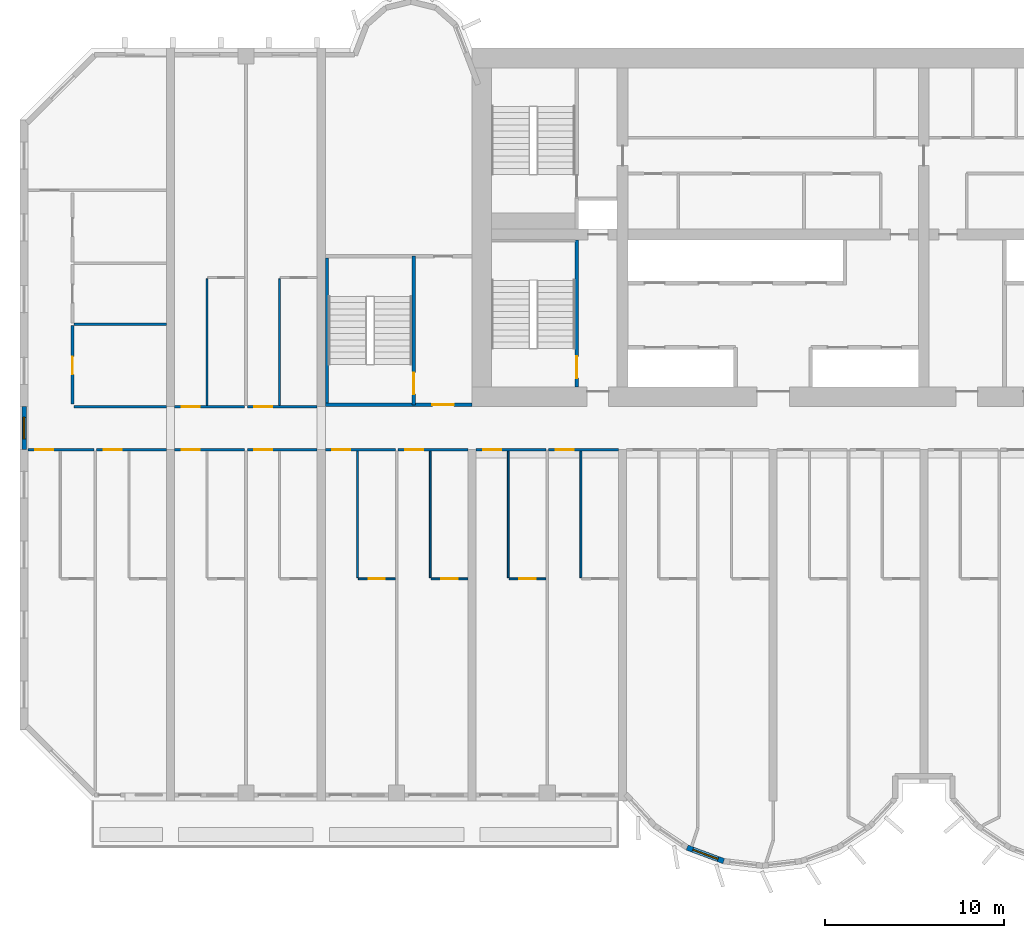
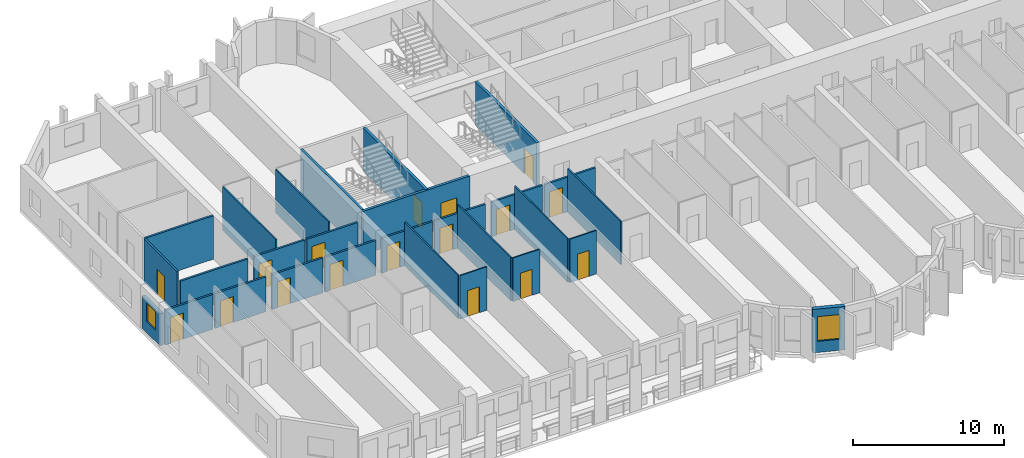
# One storey, part 3 of 15: 28 walls, 17 doors, 2 windows, 19 openings.
"""IFC4 building model written with IfcOpenShell, lengths in metres."""

from ifc_helpers import new_model, si_unit, direction, frame, frame_2d, origin, place, context, subcontext, project, spatial, rectangle, extrude, source, transform, mapped, material, layer, layer_set, type_object, element, fill, save


model = new_model("IFC4")

# Units and contexts
model_context = context("Model", 3, precision=1e-05, world=origin(), true_north=direction((0.0, 1.0)))
body_context = subcontext(model_context, "Body", "Model", "MODEL_VIEW")
ifc_project = project(units=[si_unit("LENGTHUNIT", "METRE"), si_unit("AREAUNIT", "SQUARE_METRE"), si_unit("VOLUMEUNIT", "CUBIC_METRE"), si_unit("PLANEANGLEUNIT", "RADIAN"), si_unit("MASSUNIT", "GRAM", prefix="KILO")], contexts=[model_context])

# Site, building, storey
site_placement = place(None, origin())
site = spatial("IfcSite", under=ifc_project, at=site_placement, CompositionType="ELEMENT")
building_placement = place(site_placement, origin())
building = spatial("IfcBuilding", under=site, at=building_placement, Name="Vanashikhar Sky Hotel", CompositionType="ELEMENT")
storey_placement = place(building_placement, frame((0.0, 0.0, 35.39990234375)))
storey = spatial("IfcBuildingStorey", under=building, at=storey_placement, Name="L07", CompositionType="ELEMENT", Elevation=35.39990234375)

# Wall, opening, window
ifc_material_1 = material(Name="Concrete M50", Category="concrete")
ifc_layer_1 = layer(ifc_material_1, 0.300048828125)
ifc_layer_set_1 = layer_set([ifc_layer_1], Name="Lobe wall 300")
wall_type_1 = type_object("IfcWallType", Name="Lobe wall 300", PredefinedType="SOLIDWALL", material=ifc_layer_set_1)
shared_shape_1 = source(origin(), body_context, "Body", "SweptSolid", [
    extrude(rectangle(XDim=2.17578125, YDim=0.300048828125, at=frame_2d((1.087890625, 0.0))), origin(), (0.0, 0.0, 1.0), 3.52001953125),
])
wall_1_placement = place(storey_placement, frame((37.20068359375, -2.58349609375, 0.0), z_axis=(0.0, 0.0, 1.0), x_axis=(0.93754555999, -0.347862505801, 0.0)))
wall_1 = element("IfcWall", 1, at=wall_1_placement, inside=storey, type_object=wall_type_1, Name="Lobe wall", PredefinedType="SOLIDWALL", context=body_context, shape_type="MappedRepresentation", body=[
    mapped(shared_shape_1, transform((0.0, 0.0, 0.0), scale=1.0)),
])
shared_shape_2 = source(origin(), body_context, "Body", "SweptSolid", [
    extrude(rectangle(XDim=1.5, YDim=2.0, at=frame_2d((0.75, 1.0))), frame((0.0, 0.16015625, 0.0), z_axis=(0.0, -1.0, 0.0), x_axis=(1.0, 0.0, 0.0)), (0.0, 0.0, 1.0), 0.320068359375),
])
opening_1_placement = place(wall_1_placement, frame((0.337890625, 0.0, 0.89990234375)))
opening_1 = element("IfcOpeningElement", 2, at=opening_1_placement, cuts=wall_1, Name="Opening WN-2", PredefinedType="OPENING", context=body_context, shape_type="MappedRepresentation", body=[
    mapped(shared_shape_2, transform((0.0, 0.0, 0.0), scale=1.0)),
])
ifc_material_2 = material(Name="Glass", Category="glass")
window_type_1 = type_object("IfcWindowType", Name="Lobe window 1500 x 2000", PartitioningType="SINGLE_PANEL", PredefinedType="WINDOW", material=ifc_material_2)
shared_shape_3 = source(origin(), body_context, "Body", "SweptSolid", [
    extrude(rectangle(XDim=1.5, YDim=2.0, at=frame_2d((0.75, 1.0))), frame((0.0, 0.030029296875, 0.0), z_axis=(0.0, -1.0, 0.0), x_axis=(1.0, 0.0, 0.0)), (0.0, 0.0, 1.0), 0.06005859375),
])
window_1_placement = place(opening_1_placement, origin())
window_1 = element("IfcWindow", 3, at=window_1_placement, inside=storey, type_object=window_type_1, Name="Window WN-2", OverallHeight=2.0, OverallWidth=1.5, PartitioningType="SINGLE_PANEL", PredefinedType="WINDOW", context=body_context, shape_type="MappedRepresentation", body=[
    mapped(shared_shape_3, transform((0.0, 0.0, 0.0), scale=1.0)),
])
fill(opening_1, window_1)

ifc_layer_2 = layer(ifc_material_1, 0.25)
ifc_layer_set_2 = layer_set([ifc_layer_2], Name="Rear and end board-marked wall 250")
wall_type_2 = type_object("IfcWallType", Name="Rear and end board-marked wall 250", PredefinedType="SOLIDWALL", material=ifc_layer_set_2)
shared_shape_4 = source(origin(), body_context, "Body", "SweptSolid", [
    extrude(rectangle(XDim=2.39990234375, YDim=0.25, at=frame_2d((1.199951171875, 0.0))), origin(), (0.0, 0.0, 1.0), 2.6201171875),
])
wall_2_placement = place(storey_placement, frame((0.22509765625, 19.60009765625, 0.0), z_axis=(0.0, 0.0, 1.0), x_axis=(0.0, 1.0, 0.0)))
wall_2 = element("IfcWall", 4, at=wall_2_placement, inside=storey, type_object=wall_type_2, Name="End corridor infill wall", PredefinedType="SOLIDWALL", context=body_context, shape_type="MappedRepresentation", body=[
    mapped(shared_shape_4, transform((0.0, 0.0, 0.0), scale=1.0)),
])
shared_shape_5 = source(origin(), body_context, "Body", "SweptSolid", [
    extrude(rectangle(XDim=1.199951171875, YDim=1.5, at=frame_2d((0.60009765625, 0.75))), frame((0.0, 0.135009765625, 0.0), z_axis=(0.0, -1.0, 0.0), x_axis=(1.0, 0.0, 0.0)), (0.0, 0.0, 1.0), 0.27001953125),
])
opening_2_placement = place(wall_2_placement, frame((0.60009765625, 0.0, 0.89990234375)))
opening_2 = element("IfcOpeningElement", 5, at=opening_2_placement, cuts=wall_2, Name="Opening WN-3", PredefinedType="OPENING", context=body_context, shape_type="MappedRepresentation", body=[
    mapped(shared_shape_5, transform((0.0, 0.0, 0.0), scale=1.0)),
])
window_type_2 = type_object("IfcWindowType", Name="Corridor end window 1200 x 1500", PartitioningType="SINGLE_PANEL", PredefinedType="WINDOW", material=ifc_material_2)
shared_shape_6 = source(origin(), body_context, "Body", "SweptSolid", [
    extrude(rectangle(XDim=1.199951171875, YDim=1.5, at=frame_2d((0.60009765625, 0.75))), frame((0.0, 0.030029296875, 0.0), z_axis=(0.0, -1.0, 0.0), x_axis=(1.0, 0.0, 0.0)), (0.0, 0.0, 1.0), 0.06005859375),
])
window_2_placement = place(opening_2_placement, origin())
window_2 = element("IfcWindow", 6, at=window_2_placement, inside=storey, type_object=window_type_2, Name="Window WN-3", OverallHeight=1.5, OverallWidth=1.199951171875, PartitioningType="SINGLE_PANEL", PredefinedType="WINDOW", context=body_context, shape_type="MappedRepresentation", body=[
    mapped(shared_shape_6, transform((0.0, 0.0, 0.0), scale=1.0)),
])
fill(opening_2, window_2)

# Wall, opening, door
ifc_layer_3 = layer(ifc_material_1, 0.199951171875)
ifc_layer_set_3 = layer_set([ifc_layer_3], Name="Stair wall 200")
wall_type_3 = type_object("IfcWallType", Name="Stair wall 200", PredefinedType="SOLIDWALL", material=ifc_layer_set_3)
shared_shape_7 = source(origin(), body_context, "Body", "SweptSolid", [
    extrude(rectangle(XDim=8.199951171875, YDim=0.199951171875, at=frame_2d((4.10009765625, 0.0))), origin(), (0.0, 0.0, 1.0), 3.52001953125),
])
wall_3_placement = place(storey_placement, frame((31.050048828125, 23.10009765625, 0.0), z_axis=(0.0, 0.0, 1.0), x_axis=(0.0, 1.0, 0.0)))
wall_3 = element("IfcWall", 7, at=wall_3_placement, inside=storey, type_object=wall_type_3, Name="Stair wall 200", PredefinedType="SOLIDWALL", context=body_context, shape_type="MappedRepresentation", body=[
    mapped(shared_shape_7, transform((0.0, 0.0, 0.0), scale=1.0)),
])
shared_shape_8 = source(origin(), body_context, "Body", "SweptSolid", [
    extrude(rectangle(XDim=1.199951171875, YDim=2.10009765625, at=frame_2d((0.60009765625, 1.050048828125))), frame((0.0, 0.10986328125, 0.0), z_axis=(0.0, -1.0, 0.0), x_axis=(1.0, 0.0, 0.0)), (0.0, 0.0, 1.0), 0.219970703125),
])
opening_3_placement = place(wall_3_placement, frame((0.5, 0.0, 0.0)))
opening_3 = element("IfcOpeningElement", 8, at=opening_3_placement, cuts=wall_3, Name="Opening DC-1", PredefinedType="OPENING", context=body_context, shape_type="MappedRepresentation", body=[
    mapped(shared_shape_8, transform((0.0, 0.0, 0.0), scale=1.0)),
])
ifc_material_3 = material(Name="Steel", Category="steel")
door_type_1 = type_object("IfcDoorType", Name="Stair door 1200 FD120", OperationType="NOTDEFINED", PredefinedType="DOOR", material=ifc_material_3)
shared_shape_9 = source(origin(), body_context, "Body", "SweptSolid", [
    extrude(rectangle(XDim=1.199951171875, YDim=2.10009765625, at=frame_2d((0.60009765625, 1.050048828125))), frame((0.0, 0.02490234375, 0.0), z_axis=(0.0, -1.0, 0.0), x_axis=(1.0, 0.0, 0.0)), (0.0, 0.0, 1.0), 0.050048828125),
])
door_1_placement = place(opening_3_placement, origin())
door_1 = element("IfcDoor", 9, at=door_1_placement, inside=storey, type_object=door_type_1, Name="Stair door 1200 FD120", OperationType="SINGLE_SWING_RIGHT", OverallHeight=2.10009765625, OverallWidth=1.199951171875, PredefinedType="DOOR", context=body_context, shape_type="MappedRepresentation", body=[
    mapped(shared_shape_9, transform((0.0, 0.0, 0.0), scale=1.0)),
])
fill(opening_3, door_1)

shared_shape_10 = source(origin(), body_context, "Body", "SweptSolid", [
    extrude(rectangle(XDim=8.2998046875, YDim=0.199951171875, at=frame_2d((4.14990234375, 0.0))), origin(), (0.0, 0.0, 1.0), 3.52001953125),
])
wall_4_placement = place(storey_placement, frame((21.949951171875, 22.10009765625, 0.0), z_axis=(0.0, 0.0, 1.0), x_axis=(0.0, 1.0, 0.0)))
wall_4 = element("IfcWall", 10, at=wall_4_placement, inside=storey, type_object=wall_type_3, Name="Stair wall 200", PredefinedType="SOLIDWALL", context=body_context, shape_type="MappedRepresentation", body=[
    mapped(shared_shape_10, transform((0.0, 0.0, 0.0), scale=1.0)),
])
opening_4_placement = place(wall_4_placement, frame((0.60009765625, 0.0, 0.0)))
opening_4 = element("IfcOpeningElement", 11, at=opening_4_placement, cuts=wall_4, Name="Opening DC-1", PredefinedType="OPENING", context=body_context, shape_type="MappedRepresentation", body=[
    mapped(shared_shape_8, transform((0.0, 0.0, 0.0), scale=1.0)),
])
door_2_placement = place(opening_4_placement, origin())
door_2 = element("IfcDoor", 12, at=door_2_placement, inside=storey, type_object=door_type_1, Name="Stair door 1200 FD120", OperationType="SINGLE_SWING_RIGHT", OverallHeight=2.10009765625, OverallWidth=1.199951171875, PredefinedType="DOOR", context=body_context, shape_type="MappedRepresentation", body=[
    mapped(shared_shape_9, transform((0.0, 0.0, 0.0), scale=1.0)),
])
fill(opening_4, door_2)

shared_shape_11 = source(origin(), body_context, "Body", "SweptSolid", [
    extrude(rectangle(XDim=8.175048828125, YDim=0.199951171875, at=frame_2d((4.08740234375, 0.0))), origin(), (0.0, 0.0, 1.0), 3.52001953125),
])
wall_5_placement = place(storey_placement, frame((17.02490234375, 22.10009765625, 0.0), z_axis=(0.0, 0.0, 1.0), x_axis=(1.0, 0.0, 0.0)))
wall_5 = element("IfcWall", 13, at=wall_5_placement, inside=storey, type_object=wall_type_3, Name="Stair wall 200", PredefinedType="SOLIDWALL", context=body_context, shape_type="MappedRepresentation", body=[
    mapped(shared_shape_11, transform((0.0, 0.0, 0.0), scale=1.0)),
])
opening_5_placement = place(wall_5_placement, frame((5.97509765625, 0.0, 0.0)))
opening_5 = element("IfcOpeningElement", 14, at=opening_5_placement, cuts=wall_5, Name="Opening DC-2", PredefinedType="OPENING", context=body_context, shape_type="MappedRepresentation", body=[
    mapped(shared_shape_8, transform((0.0, 0.0, 0.0), scale=1.0)),
])
door_type_2 = type_object("IfcDoorType", Name="Firefighting lobby door 1200 FD120", OperationType="NOTDEFINED", PredefinedType="DOOR", material=ifc_material_3)
door_3_placement = place(opening_5_placement, origin())
door_3 = element("IfcDoor", 15, at=door_3_placement, inside=storey, type_object=door_type_2, Name="Firefighting lobby door 1200 FD120", OperationType="SINGLE_SWING_LEFT", OverallHeight=2.10009765625, OverallWidth=1.199951171875, PredefinedType="DOOR", context=body_context, shape_type="MappedRepresentation", body=[
    mapped(shared_shape_9, transform((0.0, 0.0, 0.0), scale=1.0)),
])
fill(opening_5, door_3)

# Walls
ifc_layer_4 = layer(ifc_material_1, 0.175048828125)
ifc_layer_set_4 = layer_set([ifc_layer_4], Name="Stair infill wall 175")
wall_type_4 = type_object("IfcWallType", Name="Stair infill wall 175", PredefinedType="SOLIDWALL", material=ifc_layer_set_4)
shared_shape_12 = source(origin(), body_context, "Body", "SweptSolid", [
    extrude(rectangle(XDim=8.10009765625, YDim=0.175048828125, at=frame_2d((4.050048828125, 0.0))), origin(), (0.0, 0.0, 1.0), 3.52001953125),
])
wall_6_placement = place(storey_placement, frame((17.112060546875, 22.199951171875, 0.0), z_axis=(0.0, 0.0, 1.0), x_axis=(0.0, 1.0, 0.0)))
element("IfcWall", 16, at=wall_6_placement, inside=storey, type_object=wall_type_4, Name="Stair infill wall 175", PredefinedType="SOLIDWALL", context=body_context, shape_type="MappedRepresentation", body=[
    mapped(shared_shape_12, transform((0.0, 0.0, 0.0), scale=1.0)),
])
ifc_material_4 = material(Name="Gypsum plasterboard partition")
ifc_layer_5 = layer(ifc_material_4, 0.10009765625)
ifc_layer_set_5 = layer_set([ifc_layer_5], Name="Wet room partition 100")
wall_type_5 = type_object("IfcWallType", Name="Wet room partition 100", PredefinedType="PARTITIONING", material=ifc_layer_set_5)
shared_shape_13 = source(origin(), body_context, "Body", "SweptSolid", [
    extrude(rectangle(XDim=7.0498046875, YDim=0.10009765625, at=frame_2d((3.52490234375, 0.0))), origin(), (0.0, 0.0, 1.0), 3.52001953125),
])
for number, where, z_axis, x_axis, name in (
    (17, (18.824951171875, 12.47509765625, 0.0), (0.0, 0.0, 1.0), (0.0, 1.0, 0.0), "W-L07-PW015"),
    (18, (22.875, 12.47509765625, 0.0), (0.0, 0.0, 1.0), (0.0, 1.0, 0.0), "W-L07-PW018"),
    (19, (27.22509765625, 12.47509765625, 0.0), (0.0, 0.0, 1.0), (0.0, 1.0, 0.0), "W-L07-PW022"),
    (20, (31.27490234375, 12.47509765625, 0.0), (0.0, 0.0, 1.0), (0.0, 1.0, 0.0), "W-L07-PW025"),
):
    element("IfcWall", number, at=place(storey_placement, frame(where, z_axis=z_axis, x_axis=x_axis)), inside=storey, type_object=wall_type_5, Name=name, PredefinedType="PARTITIONING", context=body_context, shape_type="MappedRepresentation", body=[
        mapped(shared_shape_13, transform((0.0, 0.0, 0.0), scale=1.0)),
    ])

# Wall, opening, door
ifc_layer_6 = layer(ifc_material_4, 0.14990234375)
ifc_layer_set_6 = layer_set([ifc_layer_6], Name="Corridor and demising partition 150")
wall_type_6 = type_object("IfcWallType", Name="Corridor and demising partition 150", PredefinedType="PARTITIONING", material=ifc_layer_set_6)
shared_shape_14 = source(origin(), body_context, "Body", "SweptSolid", [
    extrude(rectangle(XDim=3.675048828125, YDim=0.14990234375, at=frame_2d((1.83740234375, 0.0))), origin(), (0.0, 0.0, 1.0), 2.820068359375),
])
wall_7_placement = place(storey_placement, frame((0.449951171875, 19.60009765625, 0.0), z_axis=(0.0, 0.0, 1.0), x_axis=(1.0, 0.0, 0.0)))
wall_7 = element("IfcWall", 21, at=wall_7_placement, inside=storey, type_object=wall_type_6, Name="W-L07-PW003", PredefinedType="PARTITIONING", context=body_context, shape_type="MappedRepresentation", body=[
    mapped(shared_shape_14, transform((0.0, 0.0, 0.0), scale=1.0)),
])
shared_shape_15 = source(origin(), body_context, "Body", "SweptSolid", [
    extrude(rectangle(XDim=1.0, YDim=2.10009765625, at=frame_2d((0.5, 1.050048828125))), frame((0.0, 0.0849609375, 0.0), z_axis=(0.0, -1.0, 0.0), x_axis=(1.0, 0.0, 0.0)), (0.0, 0.0, 1.0), 0.169921875),
])
opening_6_placement = place(wall_7_placement, frame((0.39990234375, 0.0, 0.0)))
opening_6 = element("IfcOpeningElement", 22, at=opening_6_placement, cuts=wall_7, Name="Opening D-01", PredefinedType="OPENING", context=body_context, shape_type="MappedRepresentation", body=[
    mapped(shared_shape_15, transform((0.0, 0.0, 0.0), scale=1.0)),
])
ifc_material_5 = material(Name="Timber fire door", Category="wood")
door_type_3 = type_object("IfcDoorType", Name="Guest entry door 1000 FD30S", OperationType="NOTDEFINED", PredefinedType="DOOR", material=ifc_material_5)
shared_shape_16 = source(origin(), body_context, "Body", "SweptSolid", [
    extrude(rectangle(XDim=1.0, YDim=2.10009765625, at=frame_2d((0.5, 1.050048828125))), frame((0.0, 0.02490234375, 0.0), z_axis=(0.0, -1.0, 0.0), x_axis=(1.0, 0.0, 0.0)), (0.0, 0.0, 1.0), 0.050048828125),
])
door_4_placement = place(opening_6_placement, origin())
door_4 = element("IfcDoor", 23, at=door_4_placement, inside=storey, type_object=door_type_3, Name="D-L07-002", OperationType="SINGLE_SWING_LEFT", OverallHeight=2.10009765625, OverallWidth=1.0, PredefinedType="DOOR", context=body_context, shape_type="MappedRepresentation", body=[
    mapped(shared_shape_16, transform((0.0, 0.0, 0.0), scale=1.0)),
])
fill(opening_6, door_4)

shared_shape_17 = source(origin(), body_context, "Body", "SweptSolid", [
    extrude(rectangle(XDim=2.050048828125, YDim=0.10009765625, at=frame_2d((1.02490234375, 0.0))), origin(), (0.0, 0.0, 1.0), 3.52001953125),
])
wall_8_placement = place(storey_placement, frame((18.875, 12.39990234375, 0.0), z_axis=(0.0, 0.0, 1.0), x_axis=(1.0, 0.0, 0.0)))
wall_8 = element("IfcWall", 24, at=wall_8_placement, inside=storey, type_object=wall_type_5, Name="W-L07-PW016", PredefinedType="PARTITIONING", context=body_context, shape_type="MappedRepresentation", body=[
    mapped(shared_shape_17, transform((0.0, 0.0, 0.0), scale=1.0)),
])
shared_shape_18 = source(origin(), body_context, "Body", "SweptSolid", [
    extrude(rectangle(XDim=0.89990234375, YDim=2.10009765625, at=frame_2d((0.449951171875, 1.050048828125))), frame((0.0, 0.06005859375, 0.0), z_axis=(0.0, -1.0, 0.0), x_axis=(1.0, 0.0, 0.0)), (0.0, 0.0, 1.0), 0.1201171875),
])
opening_7_placement = place(wall_8_placement, frame((0.574951171875, 0.0, 0.0)))
opening_7 = element("IfcOpeningElement", 25, at=opening_7_placement, cuts=wall_8, Name="Opening D-02", PredefinedType="OPENING", context=body_context, shape_type="MappedRepresentation", body=[
    mapped(shared_shape_18, transform((0.0, 0.0, 0.0), scale=1.0)),
])
ifc_material_6 = material(Name="Timber door", Category="wood")
door_type_4 = type_object("IfcDoorType", Name="Internal door 900", OperationType="NOTDEFINED", PredefinedType="DOOR", material=ifc_material_6)
shared_shape_19 = source(origin(), body_context, "Body", "SweptSolid", [
    extrude(rectangle(XDim=0.89990234375, YDim=2.10009765625, at=frame_2d((0.449951171875, 1.050048828125))), frame((0.0, 0.02490234375, 0.0), z_axis=(0.0, -1.0, 0.0), x_axis=(1.0, 0.0, 0.0)), (0.0, 0.0, 1.0), 0.050048828125),
])
door_5_placement = place(opening_7_placement, origin())
door_5 = element("IfcDoor", 26, at=door_5_placement, inside=storey, type_object=door_type_4, Name="D-L07-009", OperationType="SINGLE_SWING_LEFT", OverallHeight=2.10009765625, OverallWidth=0.89990234375, PredefinedType="DOOR", context=body_context, shape_type="MappedRepresentation", body=[
    mapped(shared_shape_19, transform((0.0, 0.0, 0.0), scale=1.0)),
])
fill(opening_7, door_5)

wall_9_placement = place(storey_placement, frame((22.925048828125, 12.39990234375, 0.0), z_axis=(0.0, 0.0, 1.0), x_axis=(1.0, 0.0, 0.0)))
wall_9 = element("IfcWall", 27, at=wall_9_placement, inside=storey, type_object=wall_type_5, Name="W-L07-PW019", PredefinedType="PARTITIONING", context=body_context, shape_type="MappedRepresentation", body=[
    mapped(shared_shape_17, transform((0.0, 0.0, 0.0), scale=1.0)),
])
opening_8_placement = place(wall_9_placement, frame((0.574951171875, 0.0, 0.0)))
opening_8 = element("IfcOpeningElement", 28, at=opening_8_placement, cuts=wall_9, Name="Opening D-02", PredefinedType="OPENING", context=body_context, shape_type="MappedRepresentation", body=[
    mapped(shared_shape_18, transform((0.0, 0.0, 0.0), scale=1.0)),
])
door_6_placement = place(opening_8_placement, origin())
door_6 = element("IfcDoor", 29, at=door_6_placement, inside=storey, type_object=door_type_4, Name="D-L07-011", OperationType="SINGLE_SWING_LEFT", OverallHeight=2.10009765625, OverallWidth=0.89990234375, PredefinedType="DOOR", context=body_context, shape_type="MappedRepresentation", body=[
    mapped(shared_shape_19, transform((0.0, 0.0, 0.0), scale=1.0)),
])
fill(opening_8, door_6)

wall_10_placement = place(storey_placement, frame((27.27490234375, 12.39990234375, 0.0), z_axis=(0.0, 0.0, 1.0), x_axis=(1.0, 0.0, 0.0)))
wall_10 = element("IfcWall", 30, at=wall_10_placement, inside=storey, type_object=wall_type_5, Name="W-L07-PW023", PredefinedType="PARTITIONING", context=body_context, shape_type="MappedRepresentation", body=[
    mapped(shared_shape_17, transform((0.0, 0.0, 0.0), scale=1.0)),
])
opening_9_placement = place(wall_10_placement, frame((0.574951171875, 0.0, 0.0)))
opening_9 = element("IfcOpeningElement", 31, at=opening_9_placement, cuts=wall_10, Name="Opening D-02", PredefinedType="OPENING", context=body_context, shape_type="MappedRepresentation", body=[
    mapped(shared_shape_18, transform((0.0, 0.0, 0.0), scale=1.0)),
])
door_7_placement = place(opening_9_placement, origin())
door_7 = element("IfcDoor", 32, at=door_7_placement, inside=storey, type_object=door_type_4, Name="D-L07-013", OperationType="SINGLE_SWING_LEFT", OverallHeight=2.10009765625, OverallWidth=0.89990234375, PredefinedType="DOOR", context=body_context, shape_type="MappedRepresentation", body=[
    mapped(shared_shape_19, transform((0.0, 0.0, 0.0), scale=1.0)),
])
fill(opening_9, door_7)

shared_shape_20 = source(origin(), body_context, "Body", "SweptSolid", [
    extrude(rectangle(XDim=3.900146484375, YDim=0.14990234375, at=frame_2d((1.9501953125, 0.0))), origin(), (0.0, 0.0, 1.0), 2.820068359375),
])
wall_11_placement = place(storey_placement, frame((4.27490234375, 19.60009765625, 0.0), z_axis=(0.0, 0.0, 1.0), x_axis=(1.0, 0.0, 0.0)))
wall_11 = element("IfcWall", 33, at=wall_11_placement, inside=storey, type_object=wall_type_6, Name="W-L07-PW006", PredefinedType="PARTITIONING", context=body_context, shape_type="MappedRepresentation", body=[
    mapped(shared_shape_20, transform((0.0, 0.0, 0.0), scale=1.0)),
])
opening_10_placement = place(wall_11_placement, frame((0.39990234375, 0.0, 0.0)))
opening_10 = element("IfcOpeningElement", 34, at=opening_10_placement, cuts=wall_11, Name="Opening D-01", PredefinedType="OPENING", context=body_context, shape_type="MappedRepresentation", body=[
    mapped(shared_shape_15, transform((0.0, 0.0, 0.0), scale=1.0)),
])
door_8_placement = place(opening_10_placement, origin())
door_8 = element("IfcDoor", 35, at=door_8_placement, inside=storey, type_object=door_type_3, Name="D-L07-004", OperationType="SINGLE_SWING_LEFT", OverallHeight=2.10009765625, OverallWidth=1.0, PredefinedType="DOOR", context=body_context, shape_type="MappedRepresentation", body=[
    mapped(shared_shape_16, transform((0.0, 0.0, 0.0), scale=1.0)),
])
fill(opening_10, door_8)

wall_12_placement = place(storey_placement, frame((17.02490234375, 19.60009765625, 0.0), z_axis=(0.0, 0.0, 1.0), x_axis=(1.0, 0.0, 0.0)))
wall_12 = element("IfcWall", 36, at=wall_12_placement, inside=storey, type_object=wall_type_6, Name="W-L07-PW017", PredefinedType="PARTITIONING", context=body_context, shape_type="MappedRepresentation", body=[
    mapped(shared_shape_20, transform((0.0, 0.0, 0.0), scale=1.0)),
])
opening_11_placement = place(wall_12_placement, frame((0.39990234375, 0.0, 0.0)))
opening_11 = element("IfcOpeningElement", 37, at=opening_11_placement, cuts=wall_12, Name="Opening D-01", PredefinedType="OPENING", context=body_context, shape_type="MappedRepresentation", body=[
    mapped(shared_shape_15, transform((0.0, 0.0, 0.0), scale=1.0)),
])
door_9_placement = place(opening_11_placement, origin())
door_9 = element("IfcDoor", 38, at=door_9_placement, inside=storey, type_object=door_type_3, Name="D-L07-010", OperationType="SINGLE_SWING_LEFT", OverallHeight=2.10009765625, OverallWidth=1.0, PredefinedType="DOOR", context=body_context, shape_type="MappedRepresentation", body=[
    mapped(shared_shape_16, transform((0.0, 0.0, 0.0), scale=1.0)),
])
fill(opening_11, door_9)

wall_13_placement = place(storey_placement, frame((21.074951171875, 19.60009765625, 0.0), z_axis=(0.0, 0.0, 1.0), x_axis=(1.0, 0.0, 0.0)))
wall_13 = element("IfcWall", 39, at=wall_13_placement, inside=storey, type_object=wall_type_6, Name="W-L07-PW020", PredefinedType="PARTITIONING", context=body_context, shape_type="MappedRepresentation", body=[
    mapped(shared_shape_20, transform((0.0, 0.0, 0.0), scale=1.0)),
])
opening_12_placement = place(wall_13_placement, frame((0.39990234375, 0.0, 0.0)))
opening_12 = element("IfcOpeningElement", 40, at=opening_12_placement, cuts=wall_13, Name="Opening D-01", PredefinedType="OPENING", context=body_context, shape_type="MappedRepresentation", body=[
    mapped(shared_shape_15, transform((0.0, 0.0, 0.0), scale=1.0)),
])
door_10_placement = place(opening_12_placement, origin())
door_10 = element("IfcDoor", 41, at=door_10_placement, inside=storey, type_object=door_type_3, Name="D-L07-012", OperationType="SINGLE_SWING_LEFT", OverallHeight=2.10009765625, OverallWidth=1.0, PredefinedType="DOOR", context=body_context, shape_type="MappedRepresentation", body=[
    mapped(shared_shape_16, transform((0.0, 0.0, 0.0), scale=1.0)),
])
fill(opening_12, door_10)

shared_shape_21 = source(origin(), body_context, "Body", "SweptSolid", [
    extrude(rectangle(XDim=3.89990234375, YDim=0.14990234375, at=frame_2d((1.949951171875, 0.0))), origin(), (0.0, 0.0, 1.0), 2.820068359375),
])
wall_14_placement = place(storey_placement, frame((8.625, 19.60009765625, 0.0), z_axis=(0.0, 0.0, 1.0), x_axis=(1.0, 0.0, 0.0)))
wall_14 = element("IfcWall", 42, at=wall_14_placement, inside=storey, type_object=wall_type_6, Name="W-L07-PW010", PredefinedType="PARTITIONING", context=body_context, shape_type="MappedRepresentation", body=[
    mapped(shared_shape_21, transform((0.0, 0.0, 0.0), scale=1.0)),
])
opening_13_placement = place(wall_14_placement, frame((0.39990234375, 0.0, 0.0)))
opening_13 = element("IfcOpeningElement", 43, at=opening_13_placement, cuts=wall_14, Name="Opening D-01", PredefinedType="OPENING", context=body_context, shape_type="MappedRepresentation", body=[
    mapped(shared_shape_15, transform((0.0, 0.0, 0.0), scale=1.0)),
])
door_11_placement = place(opening_13_placement, origin())
door_11 = element("IfcDoor", 44, at=door_11_placement, inside=storey, type_object=door_type_3, Name="D-L07-006", OperationType="SINGLE_SWING_LEFT", OverallHeight=2.10009765625, OverallWidth=1.0, PredefinedType="DOOR", context=body_context, shape_type="MappedRepresentation", body=[
    mapped(shared_shape_16, transform((0.0, 0.0, 0.0), scale=1.0)),
])
fill(opening_13, door_11)

wall_15_placement = place(storey_placement, frame((12.675048828125, 19.60009765625, 0.0), z_axis=(0.0, 0.0, 1.0), x_axis=(1.0, 0.0, 0.0)))
wall_15 = element("IfcWall", 45, at=wall_15_placement, inside=storey, type_object=wall_type_6, Name="W-L07-PW013", PredefinedType="PARTITIONING", context=body_context, shape_type="MappedRepresentation", body=[
    mapped(shared_shape_21, transform((0.0, 0.0, 0.0), scale=1.0)),
])
opening_14_placement = place(wall_15_placement, frame((0.39990234375, 0.0, 0.0)))
opening_14 = element("IfcOpeningElement", 46, at=opening_14_placement, cuts=wall_15, Name="Opening D-01", PredefinedType="OPENING", context=body_context, shape_type="MappedRepresentation", body=[
    mapped(shared_shape_15, transform((0.0, 0.0, 0.0), scale=1.0)),
])
door_12_placement = place(opening_14_placement, origin())
door_12 = element("IfcDoor", 47, at=door_12_placement, inside=storey, type_object=door_type_3, Name="D-L07-008", OperationType="SINGLE_SWING_LEFT", OverallHeight=2.10009765625, OverallWidth=1.0, PredefinedType="DOOR", context=body_context, shape_type="MappedRepresentation", body=[
    mapped(shared_shape_16, transform((0.0, 0.0, 0.0), scale=1.0)),
])
fill(opening_14, door_12)

wall_16_placement = place(storey_placement, frame((25.425048828125, 19.60009765625, 0.0), z_axis=(0.0, 0.0, 1.0), x_axis=(1.0, 0.0, 0.0)))
wall_16 = element("IfcWall", 48, at=wall_16_placement, inside=storey, type_object=wall_type_6, Name="W-L07-PW024", PredefinedType="PARTITIONING", context=body_context, shape_type="MappedRepresentation", body=[
    mapped(shared_shape_21, transform((0.0, 0.0, 0.0), scale=1.0)),
])
opening_15_placement = place(wall_16_placement, frame((0.39990234375, 0.0, 0.0)))
opening_15 = element("IfcOpeningElement", 49, at=opening_15_placement, cuts=wall_16, Name="Opening D-01", PredefinedType="OPENING", context=body_context, shape_type="MappedRepresentation", body=[
    mapped(shared_shape_15, transform((0.0, 0.0, 0.0), scale=1.0)),
])
door_13_placement = place(opening_15_placement, origin())
door_13 = element("IfcDoor", 50, at=door_13_placement, inside=storey, type_object=door_type_3, Name="D-L07-014", OperationType="SINGLE_SWING_LEFT", OverallHeight=2.10009765625, OverallWidth=1.0, PredefinedType="DOOR", context=body_context, shape_type="MappedRepresentation", body=[
    mapped(shared_shape_16, transform((0.0, 0.0, 0.0), scale=1.0)),
])
fill(opening_15, door_13)

wall_17_placement = place(storey_placement, frame((29.47509765625, 19.60009765625, 0.0), z_axis=(0.0, 0.0, 1.0), x_axis=(1.0, 0.0, 0.0)))
wall_17 = element("IfcWall", 51, at=wall_17_placement, inside=storey, type_object=wall_type_6, Name="W-L07-PW027", PredefinedType="PARTITIONING", context=body_context, shape_type="MappedRepresentation", body=[
    mapped(shared_shape_21, transform((0.0, 0.0, 0.0), scale=1.0)),
])
opening_16_placement = place(wall_17_placement, frame((0.39990234375, 0.0, 0.0)))
opening_16 = element("IfcOpeningElement", 52, at=opening_16_placement, cuts=wall_17, Name="Opening D-01", PredefinedType="OPENING", context=body_context, shape_type="MappedRepresentation", body=[
    mapped(shared_shape_15, transform((0.0, 0.0, 0.0), scale=1.0)),
])
door_14_placement = place(opening_16_placement, origin())
door_14 = element("IfcDoor", 53, at=door_14_placement, inside=storey, type_object=door_type_3, Name="D-L07-016", OperationType="SINGLE_SWING_LEFT", OverallHeight=2.10009765625, OverallWidth=1.0, PredefinedType="DOOR", context=body_context, shape_type="MappedRepresentation", body=[
    mapped(shared_shape_16, transform((0.0, 0.0, 0.0), scale=1.0)),
])
fill(opening_16, door_14)

wall_18_placement = place(storey_placement, frame((8.625, 22.0, 0.0), z_axis=(0.0, 0.0, 1.0), x_axis=(1.0, 0.0, 0.0)))
wall_18 = element("IfcWall", 54, at=wall_18_placement, inside=storey, type_object=wall_type_6, Name="W-L07-PW096", PredefinedType="PARTITIONING", context=body_context, shape_type="MappedRepresentation", body=[
    mapped(shared_shape_21, transform((0.0, 0.0, 0.0), scale=1.0)),
])
opening_17_placement = place(wall_18_placement, frame((0.39990234375, 0.0, 0.0)))
opening_17 = element("IfcOpeningElement", 55, at=opening_17_placement, cuts=wall_18, Name="Opening D-01", PredefinedType="OPENING", context=body_context, shape_type="MappedRepresentation", body=[
    mapped(shared_shape_15, transform((0.0, 0.0, 0.0), scale=1.0)),
])
door_15_placement = place(opening_17_placement, origin())
door_15 = element("IfcDoor", 56, at=door_15_placement, inside=storey, type_object=door_type_3, Name="D-L07-054", OperationType="SINGLE_SWING_LEFT", OverallHeight=2.10009765625, OverallWidth=1.0, PredefinedType="DOOR", context=body_context, shape_type="MappedRepresentation", body=[
    mapped(shared_shape_16, transform((0.0, 0.0, 0.0), scale=1.0)),
])
fill(opening_17, door_15)

wall_19_placement = place(storey_placement, frame((12.675048828125, 22.0, 0.0), z_axis=(0.0, 0.0, 1.0), x_axis=(1.0, 0.0, 0.0)))
wall_19 = element("IfcWall", 57, at=wall_19_placement, inside=storey, type_object=wall_type_6, Name="W-L07-PW099", PredefinedType="PARTITIONING", context=body_context, shape_type="MappedRepresentation", body=[
    mapped(shared_shape_21, transform((0.0, 0.0, 0.0), scale=1.0)),
])
opening_18_placement = place(wall_19_placement, frame((0.39990234375, 0.0, 0.0)))
opening_18 = element("IfcOpeningElement", 58, at=opening_18_placement, cuts=wall_19, Name="Opening D-01", PredefinedType="OPENING", context=body_context, shape_type="MappedRepresentation", body=[
    mapped(shared_shape_15, transform((0.0, 0.0, 0.0), scale=1.0)),
])
door_16_placement = place(opening_18_placement, origin())
door_16 = element("IfcDoor", 59, at=door_16_placement, inside=storey, type_object=door_type_3, Name="D-L07-056", OperationType="SINGLE_SWING_LEFT", OverallHeight=2.10009765625, OverallWidth=1.0, PredefinedType="DOOR", context=body_context, shape_type="MappedRepresentation", body=[
    mapped(shared_shape_16, transform((0.0, 0.0, 0.0), scale=1.0)),
])
fill(opening_18, door_16)

# Wall
shared_shape_22 = source(origin(), body_context, "Body", "SweptSolid", [
    extrude(rectangle(XDim=5.175048828125, YDim=0.14990234375, at=frame_2d((2.58740234375, 0.0))), origin(), (0.0, 0.0, 1.0), 2.820068359375),
])
wall_20_placement = place(storey_placement, frame((3.0, 22.0, 0.0), z_axis=(0.0, 0.0, 1.0), x_axis=(1.0, 0.0, 0.0)))
element("IfcWall", 60, at=wall_20_placement, inside=storey, type_object=wall_type_6, Name="W-L07-PW087", PredefinedType="PARTITIONING", context=body_context, shape_type="MappedRepresentation", body=[
    mapped(shared_shape_22, transform((0.0, 0.0, 0.0), scale=1.0)),
])

# Wall, opening, door
shared_shape_23 = source(origin(), body_context, "Body", "SweptSolid", [
    extrude(rectangle(XDim=4.375, YDim=0.14990234375, at=frame_2d((2.1875, 0.0))), origin(), (0.0, 0.0, 1.0), 3.52001953125),
])
wall_21_placement = place(storey_placement, frame((2.925048828125, 22.14990234375, 0.0), z_axis=(0.0, 0.0, 1.0), x_axis=(0.0, 1.0, 0.0)))
wall_21 = element("IfcWall", 61, at=wall_21_placement, inside=storey, type_object=wall_type_6, Name="W-L07-PW088", PredefinedType="PARTITIONING", context=body_context, shape_type="MappedRepresentation", body=[
    mapped(shared_shape_23, transform((0.0, 0.0, 0.0), scale=1.0)),
])
opening_19_placement = place(wall_21_placement, frame((1.64990234375, 0.0, 0.0)))
opening_19 = element("IfcOpeningElement", 62, at=opening_19_placement, cuts=wall_21, Name="Opening D-01", PredefinedType="OPENING", context=body_context, shape_type="MappedRepresentation", body=[
    mapped(shared_shape_15, transform((0.0, 0.0, 0.0), scale=1.0)),
])
door_17_placement = place(opening_19_placement, origin())
door_17 = element("IfcDoor", 63, at=door_17_placement, inside=storey, type_object=door_type_3, Name="D-L07-049", OperationType="SINGLE_SWING_LEFT", OverallHeight=2.10009765625, OverallWidth=1.0, PredefinedType="DOOR", context=body_context, shape_type="MappedRepresentation", body=[
    mapped(shared_shape_16, transform((0.0, 0.0, 0.0), scale=1.0)),
])
fill(opening_19, door_17)

# Walls
shared_shape_24 = source(origin(), body_context, "Body", "SweptSolid", [
    extrude(rectangle(XDim=5.175048828125, YDim=0.14990234375, at=frame_2d((2.58740234375, 0.0))), origin(), (0.0, 0.0, 1.0), 3.52001953125),
])
wall_22_placement = place(storey_placement, frame((3.0, 26.60009765625, 0.0), z_axis=(0.0, 0.0, 1.0), x_axis=(1.0, 0.0, 0.0)))
element("IfcWall", 64, at=wall_22_placement, inside=storey, type_object=wall_type_6, Name="W-L07-PW089", PredefinedType="PARTITIONING", context=body_context, shape_type="MappedRepresentation", body=[
    mapped(shared_shape_24, transform((0.0, 0.0, 0.0), scale=1.0)),
])
shared_shape_25 = source(origin(), body_context, "Body", "SweptSolid", [
    extrude(rectangle(XDim=7.050048828125, YDim=0.10009765625, at=frame_2d((3.52490234375, 0.0))), origin(), (0.0, 0.0, 1.0), 3.52001953125),
])
for number, where, z_axis, x_axis, name in (
    (65, (10.425048828125, 22.074951171875, 0.0), (0.0, 0.0, 1.0), (0.0, 1.0, 0.0), "W-L07-PW094"),
    (66, (14.47509765625, 22.074951171875, 0.0), (0.0, 0.0, 1.0), (0.0, 1.0, 0.0), "W-L07-PW097"),
):
    element("IfcWall", number, at=place(storey_placement, frame(where, z_axis=z_axis, x_axis=x_axis)), inside=storey, type_object=wall_type_5, Name=name, PredefinedType="PARTITIONING", context=body_context, shape_type="MappedRepresentation", body=[
        mapped(shared_shape_25, transform((0.0, 0.0, 0.0), scale=1.0)),
    ])

save(model, "model.ifc")
